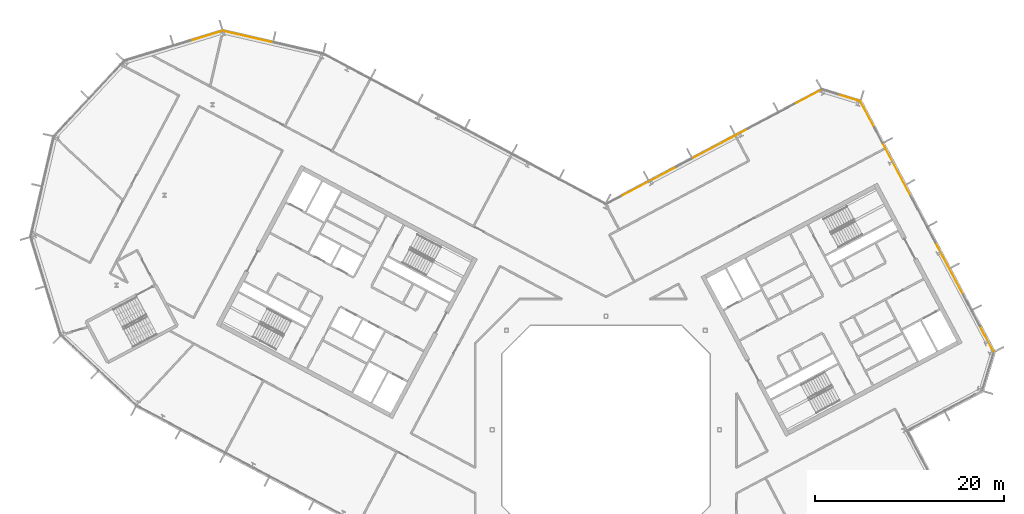
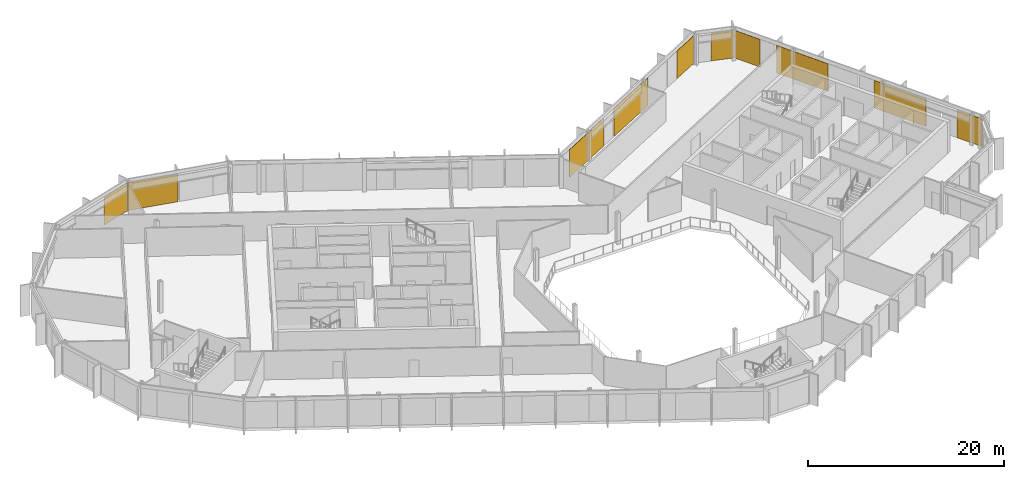
# One storey, part 26 of 26: 10 coverings, 5 elements without a shape of their own.
"""IFC4 building model written with IfcOpenShell, lengths in metres."""

from ifc_helpers import new_model, si_unit, direction, frame, origin, origin_2d, place, context, subcontext, project, spatial, rectangle, extrude, material, layer, layer_set, type_object, element, aggregate, save


model = new_model("IFC4")

# Units and contexts
model_context = context("Model", 3, precision=1e-05, world=origin(), true_north=direction((0.0, 1.0)))
body_context = subcontext(model_context, "Body", "Model", "MODEL_VIEW")
ifc_project = project(units=[si_unit("LENGTHUNIT", "METRE"), si_unit("AREAUNIT", "SQUARE_METRE"), si_unit("VOLUMEUNIT", "CUBIC_METRE"), si_unit("PLANEANGLEUNIT", "RADIAN"), si_unit("MASSUNIT", "GRAM", prefix="KILO")], contexts=[model_context])

# Site, building, storey
site_placement = place(None, origin())
site = spatial("IfcSite", under=ifc_project, at=site_placement, CompositionType="ELEMENT")
building_placement = place(site_placement, origin())
building = spatial("IfcBuilding", under=site, at=building_placement, Name="Cormorant Relay Tower", CompositionType="ELEMENT")
storey_placement = place(building_placement, frame((0.0, 0.0, 304.800048828125)))
storey = spatial("IfcBuildingStorey", under=building, at=storey_placement, Name="L69", CompositionType="ELEMENT", Elevation=304.800048828125)

# Curtain wall, coverings
ifc_material_1 = material(Name="Aluminium 6063-T6 anodised bronze", Category="aluminium")
ifc_layer_1 = layer(ifc_material_1, 0.199951171875)
ifc_layer_set_1 = layer_set([ifc_layer_1], Name="CW1 unitised bronze curtain wall with vertical fins")
curtain_wall_type = type_object("IfcCurtainWallType", Name="CW1 unitised bronze curtain wall with vertical fins", PredefinedType="NOTDEFINED", material=ifc_layer_set_1)
curtain_wall_1_placement = place(storey_placement, origin())
curtain_wall_1 = element("IfcCurtainWall", 1, at=curtain_wall_1_placement, inside=storey, type_object=curtain_wall_type, Name="CW1 curtain wall 6", PredefinedType="NOTDEFINED")
ifc_material_2 = material(Name="Pale bronze anodised aluminium insulated panel", Category="aluminium")
ifc_layer_2 = layer(ifc_material_2, 0.0400390625)
ifc_layer_set_2 = layer_set([ifc_layer_2], Name="CW1 pale bronze insulated panel 40")
covering_type = type_object("IfcCoveringType", Name="CW1 pale bronze insulated panel 40", PredefinedType="CLADDING", material=ifc_layer_set_2)
covering_1_placement = place(storey_placement, frame((40.218017578125, 9.605712890625, 0.0), z_axis=(0.0, 0.0, 1.0), x_axis=(-0.469471562786, 0.882947592859, 0.0)))
covering_1 = element("IfcCovering", 2, at=covering_1_placement, type_object=covering_type, Name="CW1 panel S00", PredefinedType="CLADDING", context=body_context, shape_type="SweptSolid", body=[
    extrude(rectangle(XDim=3.050048828125, YDim=0.0400390625, at=origin_2d()), origin(), (0.0, 0.0, 1.0), 3.449951171875),
])
covering_2_placement = place(storey_placement, frame((36.2744140625, 17.0224609375, 0.0), z_axis=(0.0, 0.0, 1.0), x_axis=(-0.469471562786, 0.882947592859, 0.0)))
covering_2 = element("IfcCovering", 3, at=covering_2_placement, type_object=covering_type, Name="CW1 panel S03", PredefinedType="CLADDING", context=body_context, shape_type="SweptSolid", body=[
    extrude(rectangle(XDim=6.25, YDim=0.0400390625, at=origin_2d()), origin(), (0.0, 0.0, 1.0), 3.449951171875),
])
covering_3_placement = place(storey_placement, frame((30.734619140625, 27.441162109375, 0.0), z_axis=(0.0, 0.0, 1.0), x_axis=(-0.469471562786, 0.882947592859, 0.0)))
covering_3 = element("IfcCovering", 4, at=covering_3_placement, type_object=covering_type, Name="CW1 panel S06", PredefinedType="CLADDING", context=body_context, shape_type="SweptSolid", body=[
    extrude(rectangle(XDim=6.25, YDim=0.0400390625, at=origin_2d()), origin(), (0.0, 0.0, 1.0), 3.449951171875),
])
covering_4_placement = place(storey_placement, frame((27.61865234375, 33.3017578125, 0.0), z_axis=(0.0, 0.0, 1.0), x_axis=(-0.469471562786, 0.882947592859, 0.0)))
covering_4 = element("IfcCovering", 5, at=covering_4_placement, type_object=covering_type, Name="CW1 panel S08", PredefinedType="CLADDING", context=body_context, shape_type="SweptSolid", body=[
    extrude(rectangle(XDim=3.125, YDim=0.0400390625, at=origin_2d()), origin(), (0.0, 0.0, 1.0), 3.449951171875),
])
aggregate(curtain_wall_1, [covering_1, covering_2, covering_3, covering_4])

# Curtain wall, covering
curtain_wall_2_placement = place(storey_placement, origin())
curtain_wall_2 = element("IfcCurtainWall", 6, at=curtain_wall_2_placement, inside=storey, type_object=curtain_wall_type, Name="CW1 curtain wall 7", PredefinedType="NOTDEFINED")
covering_5_placement = place(storey_placement, frame((25.66943359375, 35.05908203125, 0.0), z_axis=(0.0, 0.0, 1.0), x_axis=(-0.956304755963, 0.292371704723, 0.0)))
covering_5 = element("IfcCovering", 7, at=covering_5_placement, type_object=covering_type, Name="CW1 panel S00", PredefinedType="CLADDING", context=body_context, shape_type="SweptSolid", body=[
    extrude(rectangle(XDim=2.36767578125, YDim=0.0400390625, at=origin_2d()), origin(), (0.0, 0.0, 1.0), 3.449951171875),
])
aggregate(curtain_wall_2, [covering_5])

# Curtain wall, coverings
curtain_wall_3_placement = place(storey_placement, origin())
curtain_wall_3 = element("IfcCurtainWall", 8, at=curtain_wall_3_placement, inside=storey, type_object=curtain_wall_type, Name="CW1 curtain wall 8", PredefinedType="NOTDEFINED")
covering_6_placement = place(storey_placement, frame((21.314453125, 35.1396484375, 0.0), z_axis=(0.0, 0.0, 1.0), x_axis=(-0.882947592859, -0.469471562786, 0.0)))
covering_6 = element("IfcCovering", 9, at=covering_6_placement, type_object=covering_type, Name="CW1 panel S00", PredefinedType="CLADDING", context=body_context, shape_type="SweptSolid", body=[
    extrude(rectangle(XDim=3.216796875, YDim=0.0400390625, at=origin_2d()), origin(), (0.0, 0.0, 1.0), 3.449951171875),
])
covering_7_placement = place(storey_placement, frame((12.08740234375, 30.233642578125, 0.0), z_axis=(0.0, 0.0, 1.0), x_axis=(-0.882947592859, -0.469471562786, 0.0)))
covering_7 = element("IfcCovering", 10, at=covering_7_placement, type_object=covering_type, Name="CW1 panel S03", PredefinedType="CLADDING", context=body_context, shape_type="SweptSolid", body=[
    extrude(rectangle(XDim=6.58349609375, YDim=0.0400390625, at=origin_2d()), origin(), (0.0, 0.0, 1.0), 3.449951171875),
])
covering_8_placement = place(storey_placement, frame((4.51953125, 26.209716796875, 0.0), z_axis=(0.0, 0.0, 1.0), x_axis=(-0.882947592859, -0.469471562786, 0.0)))
covering_8 = element("IfcCovering", 11, at=covering_8_placement, type_object=covering_type, Name="CW1 panel S05", PredefinedType="CLADDING", context=body_context, shape_type="SweptSolid", body=[
    extrude(rectangle(XDim=6.65869140625, YDim=0.0400390625, at=origin_2d()), origin(), (0.0, 0.0, 1.0), 3.449951171875),
])
aggregate(curtain_wall_3, [covering_6, covering_7, covering_8])

# Curtain wall, covering
curtain_wall_4_placement = place(storey_placement, origin())
curtain_wall_4 = element("IfcCurtainWall", 12, at=curtain_wall_4_placement, inside=storey, type_object=curtain_wall_type, Name="CW1 curtain wall 10", PredefinedType="NOTDEFINED")
covering_9_placement = place(storey_placement, frame((-37.849609375, 41.530029296875, 0.0), z_axis=(0.0, 0.0, 1.0), x_axis=(-0.974370064785, 0.224951054344, 0.0)))
covering_9 = element("IfcCovering", 13, at=covering_9_placement, type_object=covering_type, Name="CW1 panel S02", PredefinedType="CLADDING", context=body_context, shape_type="SweptSolid", body=[
    extrude(rectangle(XDim=5.360107421875, YDim=0.0400390625, at=origin_2d()), origin(), (0.0, 0.0, 1.0), 3.449951171875),
])
aggregate(curtain_wall_4, [covering_9])

curtain_wall_5_placement = place(storey_placement, origin())
curtain_wall_5 = element("IfcCurtainWall", 14, at=curtain_wall_5_placement, inside=storey, type_object=curtain_wall_type, Name="CW1 curtain wall 11", PredefinedType="NOTDEFINED")
covering_10_placement = place(storey_placement, frame((-42.209716796875, 41.60107421875, 0.0), z_axis=(0.0, 0.0, 1.0), x_axis=(-0.956304755963, -0.292371704723, 0.0)))
covering_10 = element("IfcCovering", 15, at=covering_10_placement, type_object=covering_type, Name="CW1 panel S00", PredefinedType="CLADDING", context=body_context, shape_type="SweptSolid", body=[
    extrude(rectangle(XDim=3.485107421875, YDim=0.0400390625, at=origin_2d()), origin(), (0.0, 0.0, 1.0), 3.449951171875),
])
aggregate(curtain_wall_5, [covering_10])

save(model, "model.ifc")
